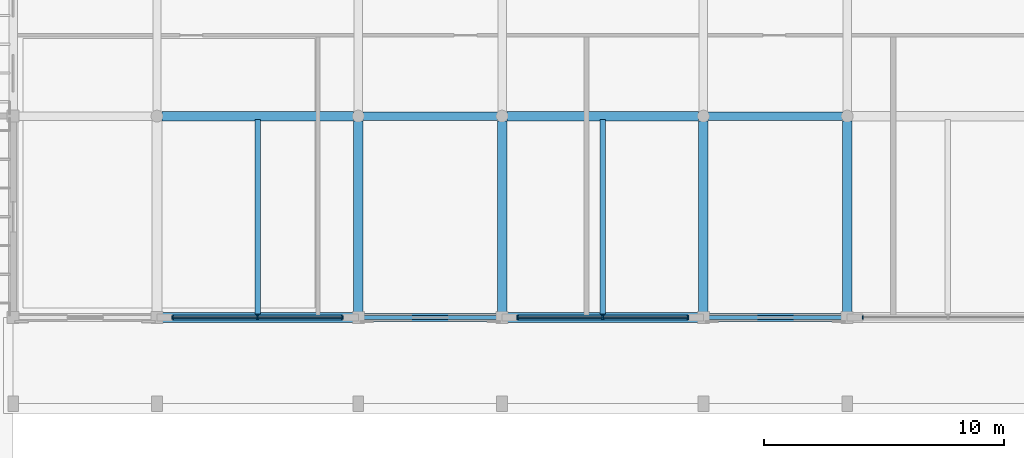
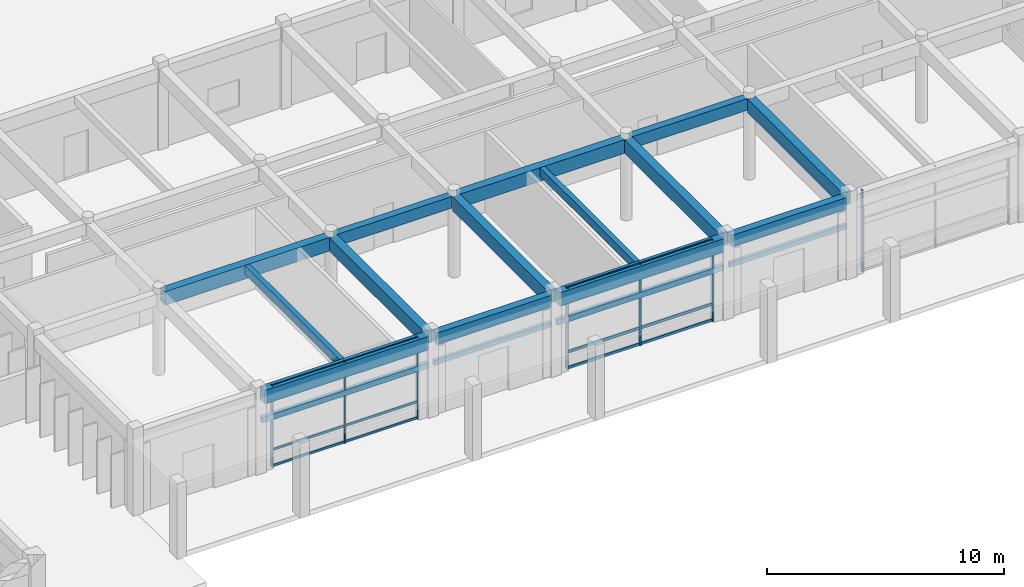
# One storey, part 13 of 67: 18 beams, 13 members, 3 elements without a shape of their own.
"""IFC4 building model written with IfcOpenShell, lengths in metres."""

from ifc_helpers import new_model, si_unit, direction, frame, origin, origin_2d, place, context, subcontext, project, spatial, rectangle, extrude, material, material_profile, profile_set, type_object, element, aggregate, save


model = new_model("IFC4")

# Units and contexts
model_context = context("Model", 3, precision=1e-05, world=origin(), true_north=direction((0.0, 1.0)))
body_context = subcontext(model_context, "Body", "Model", "MODEL_VIEW")
ifc_project = project(units=[si_unit("LENGTHUNIT", "METRE"), si_unit("AREAUNIT", "SQUARE_METRE"), si_unit("VOLUMEUNIT", "CUBIC_METRE"), si_unit("PLANEANGLEUNIT", "RADIAN"), si_unit("MASSUNIT", "GRAM", prefix="KILO"), si_unit("THERMODYNAMICTEMPERATUREUNIT", "KELVIN")], contexts=[model_context])

# Site, building, storey
site_placement = place(None, origin())
site = spatial("IfcSite", under=ifc_project, at=site_placement, CompositionType="ELEMENT")
building_placement = place(site_placement, origin())
building = spatial("IfcBuilding", under=site, at=building_placement, Name="Thalorik Housing Commons", CompositionType="ELEMENT")
storey_placement = place(building_placement, origin())
storey = spatial("IfcBuildingStorey", under=building, at=storey_placement, Name="L00", CompositionType="ELEMENT", Elevation=0.0)

# Curtain wall, member
ifc_material_1 = material(Name="Anodised aluminium and solar-control low-E glass", Category="aluminium")
curtain_wall_type = type_object("IfcCurtainWallType", Name="ARC-CW-CIVIC", PredefinedType="USERDEFINED", material=ifc_material_1)
curtain_wall_1_placement = place(storey_placement, origin())
curtain_wall_1 = element("IfcCurtainWall", 1, at=curtain_wall_1_placement, inside=storey, type_object=curtain_wall_type, Name="L00 Curtain Wall CW-SHOP-L00-233", ObjectType="CURTAIN WALL", PredefinedType="USERDEFINED")
ifc_material_2 = material(Name="Anodised aluminium 6063-T6", Category="aluminium")
ifc_material_profile_1 = material_profile(ifc_material_2, rectangle(XDim=0.054931640625, YDim=0.139892578125, at=origin_2d()), Name="ALU MUL 55x140", Category="aluminium")
ifc_profile_set_1 = profile_set([ifc_material_profile_1], Name="Anodised aluminium 6063-T6")
member_type_1 = type_object("IfcMemberType", Name="ARC-CW-MUL-55x140", PredefinedType="MULLION", material=ifc_profile_set_1)
member_1_placement = place(storey_placement, frame((101.449951171875, 14.39990234375, 0.0), z_axis=(0.0, 0.0, 1.0), x_axis=(1.0, 0.0, 0.0)))
member_1 = element("IfcMember", 2, at=member_1_placement, type_object=member_type_1, Name="CW-SHOP-L00-233 Mullion 1", PredefinedType="MULLION", context=body_context, shape_type="SweptSolid", body=[
    extrude(rectangle(XDim=0.054931640625, YDim=0.139892578125, at=origin_2d()), origin(), (0.0, 0.0, 1.0), 4.199951171875),
])
aggregate(curtain_wall_1, [member_1])

# Curtain wall, members
curtain_wall_2_placement = place(storey_placement, origin())
curtain_wall_2 = element("IfcCurtainWall", 3, at=curtain_wall_2_placement, inside=storey, type_object=curtain_wall_type, Name="L00 Curtain Wall CW-SHOP-L00-231", ObjectType="CURTAIN WALL", PredefinedType="USERDEFINED")
ifc_material_profile_2 = material_profile(ifc_material_2, rectangle(XDim=0.06005859375, YDim=0.159912109375, at=origin_2d()), Name="ALU MUL 60x160", Category="aluminium")
ifc_profile_set_2 = profile_set([ifc_material_profile_2], Name="Anodised aluminium 6063-T6")
member_type_2 = type_object("IfcMemberType", Name="ARC-CW-MUL-60x160", PredefinedType="MULLION", material=ifc_profile_set_2)
member_2_placement = place(storey_placement, frame((72.64990234375, 14.39990234375, 0.0), z_axis=(0.0, 0.0, 1.0), x_axis=(1.0, 0.0, 0.0)))
member_2 = element("IfcMember", 4, at=member_2_placement, type_object=member_type_2, Name="CW-SHOP-L00-231 Mullion 1", PredefinedType="MULLION", context=body_context, shape_type="SweptSolid", body=[
    extrude(rectangle(XDim=0.06005859375, YDim=0.159912109375, at=origin_2d()), origin(), (0.0, 0.0, 1.0), 4.199951171875),
])
member_3_placement = place(storey_placement, frame((76.199951171875, 14.39990234375, 0.0), z_axis=(0.0, 0.0, 1.0), x_axis=(1.0, 0.0, 0.0)))
member_3 = element("IfcMember", 5, at=member_3_placement, type_object=member_type_2, Name="CW-SHOP-L00-231 Mullion 2", PredefinedType="MULLION", context=body_context, shape_type="SweptSolid", body=[
    extrude(rectangle(XDim=0.06005859375, YDim=0.159912109375, at=origin_2d()), origin(), (0.0, 0.0, 1.0), 4.199951171875),
])
member_4_placement = place(storey_placement, frame((79.75, 14.39990234375, 0.0), z_axis=(0.0, 0.0, 1.0), x_axis=(1.0, 0.0, 0.0)))
member_4 = element("IfcMember", 6, at=member_4_placement, type_object=member_type_2, Name="CW-SHOP-L00-231 Mullion 3", PredefinedType="MULLION", context=body_context, shape_type="SweptSolid", body=[
    extrude(rectangle(XDim=0.06005859375, YDim=0.159912109375, at=origin_2d()), origin(), (0.0, 0.0, 1.0), 4.199951171875),
])

curtain_wall_3_placement = place(storey_placement, origin())
curtain_wall_3 = element("IfcCurtainWall", 7, at=curtain_wall_3_placement, inside=storey, type_object=curtain_wall_type, Name="L00 Curtain Wall CW-SHOP-L00-232", ObjectType="CURTAIN WALL", PredefinedType="USERDEFINED")
ifc_material_profile_3 = material_profile(ifc_material_2, rectangle(XDim=0.06494140625, YDim=0.179931640625, at=origin_2d()), Name="ALU MUL 65x180", Category="aluminium")
ifc_profile_set_3 = profile_set([ifc_material_profile_3], Name="Anodised aluminium 6063-T6")
member_type_3 = type_object("IfcMemberType", Name="ARC-CW-MUL-65x180", PredefinedType="MULLION", material=ifc_profile_set_3)
member_5_placement = place(storey_placement, frame((87.050048828125, 14.39990234375, 0.0), z_axis=(0.0, 0.0, 1.0), x_axis=(1.0, 0.0, 0.0)))
member_5 = element("IfcMember", 8, at=member_5_placement, type_object=member_type_3, Name="CW-SHOP-L00-232 Mullion 1", PredefinedType="MULLION", context=body_context, shape_type="SweptSolid", body=[
    extrude(rectangle(XDim=0.06494140625, YDim=0.179931640625, at=origin_2d()), origin(), (0.0, 0.0, 1.0), 4.199951171875),
])
member_6_placement = place(storey_placement, frame((90.60009765625, 14.39990234375, 0.0), z_axis=(0.0, 0.0, 1.0), x_axis=(1.0, 0.0, 0.0)))
member_6 = element("IfcMember", 9, at=member_6_placement, type_object=member_type_3, Name="CW-SHOP-L00-232 Mullion 2", PredefinedType="MULLION", context=body_context, shape_type="SweptSolid", body=[
    extrude(rectangle(XDim=0.06494140625, YDim=0.179931640625, at=origin_2d()), origin(), (0.0, 0.0, 1.0), 4.199951171875),
])
member_7_placement = place(storey_placement, frame((94.14990234375, 14.39990234375, 0.0), z_axis=(0.0, 0.0, 1.0), x_axis=(1.0, 0.0, 0.0)))
member_7 = element("IfcMember", 10, at=member_7_placement, type_object=member_type_3, Name="CW-SHOP-L00-232 Mullion 3", PredefinedType="MULLION", context=body_context, shape_type="SweptSolid", body=[
    extrude(rectangle(XDim=0.06494140625, YDim=0.179931640625, at=origin_2d()), origin(), (0.0, 0.0, 1.0), 4.199951171875),
])

# Member
ifc_material_profile_4 = material_profile(ifc_material_2, rectangle(XDim=0.06005859375, YDim=0.1201171875, at=origin_2d()), Name="ALU TRN 60x120", Category="aluminium")
ifc_profile_set_4 = profile_set([ifc_material_profile_4], Name="Anodised aluminium 6063-T6")
member_type_4 = type_object("IfcMemberType", Name="ARC-CW-TRN-60x120", PredefinedType="USERDEFINED", material=ifc_profile_set_4)
member_8_placement = place(storey_placement, frame((72.64990234375, 14.39990234375, 0.054931640625), z_axis=(1.0, 0.0, 0.0), x_axis=(0.0, 1.0, 0.0)))
member_8 = element("IfcMember", 11, at=member_8_placement, type_object=member_type_4, Name="CW-SHOP-L00-231 Transom 1", ObjectType="TRANSOM", PredefinedType="USERDEFINED", context=body_context, shape_type="SweptSolid", body=[
    extrude(rectangle(XDim=0.06005859375, YDim=0.1201171875, at=origin_2d()), origin(), (0.0, 0.0, 1.0), 7.10009765625),
])

member_9_placement = place(storey_placement, frame((72.64990234375, 14.39990234375, 0.8798828125), z_axis=(1.0, 0.0, 0.0), x_axis=(0.0, 1.0, 0.0)))
member_9 = element("IfcMember", 12, at=member_9_placement, type_object=member_type_4, Name="CW-SHOP-L00-231 Transom 2", ObjectType="TRANSOM", PredefinedType="USERDEFINED", context=body_context, shape_type="SweptSolid", body=[
    extrude(rectangle(XDim=0.06005859375, YDim=0.1201171875, at=origin_2d()), origin(), (0.0, 0.0, 1.0), 7.10009765625),
])

member_10_placement = place(storey_placement, frame((72.64990234375, 14.39990234375, 4.14501953125), z_axis=(1.0, 0.0, 0.0), x_axis=(0.0, 1.0, 0.0)))
member_10 = element("IfcMember", 13, at=member_10_placement, type_object=member_type_4, Name="CW-SHOP-L00-231 Transom 3", ObjectType="TRANSOM", PredefinedType="USERDEFINED", context=body_context, shape_type="SweptSolid", body=[
    extrude(rectangle(XDim=0.06005859375, YDim=0.1201171875, at=origin_2d()), origin(), (0.0, 0.0, 1.0), 7.10009765625),
])

aggregate(curtain_wall_2, [member_2, member_3, member_4, member_8, member_9, member_10])

ifc_material_profile_5 = material_profile(ifc_material_2, rectangle(XDim=0.06494140625, YDim=0.14990234375, at=origin_2d()), Name="ALU TRN 65x150", Category="aluminium")
ifc_profile_set_5 = profile_set([ifc_material_profile_5], Name="Anodised aluminium 6063-T6")
member_type_5 = type_object("IfcMemberType", Name="ARC-CW-TRN-65x150", PredefinedType="USERDEFINED", material=ifc_profile_set_5)
member_11_placement = place(storey_placement, frame((87.050048828125, 14.39990234375, 0.054931640625), z_axis=(1.0, 0.0, 0.0), x_axis=(0.0, 1.0, 0.0)))
member_11 = element("IfcMember", 14, at=member_11_placement, type_object=member_type_5, Name="CW-SHOP-L00-232 Transom 1", ObjectType="TRANSOM", PredefinedType="USERDEFINED", context=body_context, shape_type="SweptSolid", body=[
    extrude(rectangle(XDim=0.06494140625, YDim=0.14990234375, at=origin_2d()), origin(), (0.0, 0.0, 1.0), 7.099853515625),
])

member_12_placement = place(storey_placement, frame((87.050048828125, 14.39990234375, 0.8798828125), z_axis=(1.0, 0.0, 0.0), x_axis=(0.0, 1.0, 0.0)))
member_12 = element("IfcMember", 15, at=member_12_placement, type_object=member_type_5, Name="CW-SHOP-L00-232 Transom 2", ObjectType="TRANSOM", PredefinedType="USERDEFINED", context=body_context, shape_type="SweptSolid", body=[
    extrude(rectangle(XDim=0.06494140625, YDim=0.14990234375, at=origin_2d()), origin(), (0.0, 0.0, 1.0), 7.099853515625),
])

member_13_placement = place(storey_placement, frame((87.050048828125, 14.39990234375, 4.14501953125), z_axis=(1.0, 0.0, 0.0), x_axis=(0.0, 1.0, 0.0)))
member_13 = element("IfcMember", 16, at=member_13_placement, type_object=member_type_5, Name="CW-SHOP-L00-232 Transom 3", ObjectType="TRANSOM", PredefinedType="USERDEFINED", context=body_context, shape_type="SweptSolid", body=[
    extrude(rectangle(XDim=0.06494140625, YDim=0.14990234375, at=origin_2d()), origin(), (0.0, 0.0, 1.0), 7.099853515625),
])

aggregate(curtain_wall_3, [member_5, member_6, member_7, member_11, member_12, member_13])

# Beams
ifc_material_3 = material(Name="Precast concrete C40/50", Category="concrete")
ifc_material_profile_6 = material_profile(ifc_material_3, rectangle(XDim=0.35009765625, YDim=0.60009765625, at=origin_2d()), Name="PC 350x600", Category="concrete")
ifc_profile_set_6 = profile_set([ifc_material_profile_6], Name="Precast concrete C40/50")
beam_type_1 = type_object("IfcBeamType", Name="STR-BM-PC350x600", PredefinedType="BEAM", material=ifc_profile_set_6)
beam_1_placement = place(storey_placement, frame((80.60009765625, 14.39990234375, 3.89990234375), z_axis=(1.0, 0.0, 0.0), x_axis=(0.0, 1.0, 0.0)))
element("IfcBeam", 17, at=beam_1_placement, inside=storey, type_object=beam_type_1, Name="L00 Beam B-600", PredefinedType="BEAM", context=body_context, shape_type="SweptSolid", body=[
    extrude(rectangle(XDim=0.35009765625, YDim=0.60009765625, at=origin_2d()), origin(), (0.0, 0.0, 1.0), 5.599853515625),
])
beam_2_placement = place(storey_placement, frame((95.0, 14.39990234375, 3.89990234375), z_axis=(1.0, 0.0, 0.0), x_axis=(0.0, 1.0, 0.0)))
element("IfcBeam", 18, at=beam_2_placement, inside=storey, type_object=beam_type_1, Name="L00 Beam B-600", PredefinedType="BEAM", context=body_context, shape_type="SweptSolid", body=[
    extrude(rectangle(XDim=0.35009765625, YDim=0.60009765625, at=origin_2d()), origin(), (0.0, 0.0, 1.0), 5.60009765625),
])
beam_3_placement = place(storey_placement, frame((80.60009765625, 22.800048828125, 3.89990234375), z_axis=(1.0, 0.0, 0.0), x_axis=(0.0, 1.0, 0.0)))
element("IfcBeam", 19, at=beam_3_placement, inside=storey, type_object=beam_type_1, Name="L00 Beam B-600", PredefinedType="BEAM", context=body_context, shape_type="SweptSolid", body=[
    extrude(rectangle(XDim=0.35009765625, YDim=0.60009765625, at=origin_2d()), origin(), (0.0, 0.0, 1.0), 5.599853515625),
])
beam_4_placement = place(storey_placement, frame((95.0, 22.800048828125, 3.89990234375), z_axis=(1.0, 0.0, 0.0), x_axis=(0.0, 1.0, 0.0)))
element("IfcBeam", 20, at=beam_4_placement, inside=storey, type_object=beam_type_1, Name="L00 Beam B-600", PredefinedType="BEAM", context=body_context, shape_type="SweptSolid", body=[
    extrude(rectangle(XDim=0.35009765625, YDim=0.60009765625, at=origin_2d()), origin(), (0.0, 0.0, 1.0), 5.60009765625),
])
ifc_material_profile_7 = material_profile(ifc_material_3, rectangle(XDim=0.39990234375, YDim=0.699951171875, at=origin_2d()), Name="PC 400x700", Category="concrete")
ifc_profile_set_7 = profile_set([ifc_material_profile_7], Name="Precast concrete C40/50")
beam_type_2 = type_object("IfcBeamType", Name="STR-BM-PC400x700", PredefinedType="BEAM", material=ifc_profile_set_7)
for number, where, z_axis, x_axis, name in (
    (21, (72.199951171875, 14.39990234375, 3.85009765625), (1.0, 0.0, 0.0), (0.0, 1.0, 0.0), "L00 Beam B-700"),
    (22, (86.60009765625, 14.39990234375, 3.85009765625), (1.0, 0.0, 0.0), (0.0, 1.0, 0.0), "L00 Beam B-700"),
    (23, (72.199951171875, 22.800048828125, 3.85009765625), (1.0, 0.0, 0.0), (0.0, 1.0, 0.0), "L00 Beam B-700"),
    (24, (86.60009765625, 22.800048828125, 3.85009765625), (1.0, 0.0, 0.0), (0.0, 1.0, 0.0), "L00 Beam B-700"),
    (25, (80.39990234375, 14.60009765625, 3.85009765625), (0.0, 1.0, 0.0), (-1.0, 0.0, 0.0), "L00 Beam B-700"),
    (26, (86.39990234375, 14.60009765625, 3.85009765625), (0.0, 1.0, 0.0), (-1.0, 0.0, 0.0), "L00 Beam B-700"),
    (27, (94.800048828125, 14.60009765625, 3.85009765625), (0.0, 1.0, 0.0), (-1.0, 0.0, 0.0), "L00 Beam B-700"),
    (28, (100.800048828125, 14.60009765625, 3.85009765625), (0.0, 1.0, 0.0), (-1.0, 0.0, 0.0), "L00 Beam B-700"),
):
    element("IfcBeam", number, at=place(storey_placement, frame(where, z_axis=z_axis, x_axis=x_axis)), inside=storey, type_object=beam_type_2, Name=name, PredefinedType="BEAM", context=body_context, shape_type="SweptSolid", body=[
        extrude(rectangle(XDim=0.39990234375, YDim=0.699951171875, at=origin_2d()), origin(), (0.0, 0.0, 1.0), 8.0),
    ])
ifc_material_profile_8 = material_profile(ifc_material_3, rectangle(XDim=0.239990234375, YDim=0.43994140625, at=origin_2d()), Name="PC JST 240x440", Category="concrete")
ifc_profile_set_8 = profile_set([ifc_material_profile_8], Name="Precast concrete C40/50")
beam_type_3 = type_object("IfcBeamType", Name="STR-JST-PC240x440", PredefinedType="JOIST", material=ifc_profile_set_8)
for number, where, z_axis, x_axis, name in (
    (29, (76.199951171875, 14.550048828125, 3.97998046875), (0.0, 1.0, 0.0), (-1.0, 0.0, 0.0), "L00 Beam J-440"),
    (30, (90.60009765625, 14.550048828125, 3.97998046875), (0.0, 1.0, 0.0), (-1.0, 0.0, 0.0), "L00 Beam J-440"),
):
    element("IfcBeam", number, at=place(storey_placement, frame(where, z_axis=z_axis, x_axis=x_axis)), inside=storey, type_object=beam_type_3, Name=name, PredefinedType="JOIST", context=body_context, shape_type="SweptSolid", body=[
        extrude(rectangle(XDim=0.239990234375, YDim=0.43994140625, at=origin_2d()), origin(), (0.0, 0.0, 1.0), 8.099853515625),
    ])
ifc_material_profile_9 = material_profile(ifc_material_3, rectangle(XDim=0.159912109375, YDim=0.239990234375, at=origin_2d()), Name="PC LIN 160x240", Category="concrete")
ifc_profile_set_9 = profile_set([ifc_material_profile_9], Name="Precast concrete C40/50")
beam_type_4 = type_object("IfcBeamType", Name="STR-LIN-PC160x240", PredefinedType="LINTEL", material=ifc_profile_set_9)
for number, where, z_axis, x_axis, name in (
    (31, (80.550048828125, 14.39990234375, 2.6201171875), (1.0, 0.0, 0.0), (0.0, 1.0, 0.0), "L00 Shopfront Precast Lintel 3"),
    (32, (94.949951171875, 14.39990234375, 2.6201171875), (1.0, 0.0, 0.0), (0.0, 1.0, 0.0), "L00 Shopfront Precast Lintel 5"),
):
    element("IfcBeam", number, at=place(storey_placement, frame(where, z_axis=z_axis, x_axis=x_axis)), inside=storey, type_object=beam_type_4, Name=name, PredefinedType="LINTEL", context=body_context, shape_type="SweptSolid", body=[
        extrude(rectangle(XDim=0.159912109375, YDim=0.239990234375, at=origin_2d()), origin(), (0.0, 0.0, 1.0), 5.699951171875),
    ])
ifc_material_profile_10 = material_profile(ifc_material_3, rectangle(XDim=0.199951171875, YDim=0.280029296875, at=origin_2d()), Name="PC LIN 200x280", Category="concrete")
ifc_profile_set_10 = profile_set([ifc_material_profile_10], Name="Precast concrete C40/50")
beam_type_5 = type_object("IfcBeamType", Name="STR-LIN-PC200x280", PredefinedType="LINTEL", material=ifc_profile_set_10)
beam_5_placement = place(storey_placement, frame((72.14990234375, 14.39990234375, 2.6201171875), z_axis=(1.0, 0.0, 0.0), x_axis=(0.0, 1.0, 0.0)))
element("IfcBeam", 33, at=beam_5_placement, inside=storey, type_object=beam_type_5, Name="L00 Shopfront Precast Lintel 2", PredefinedType="LINTEL", context=body_context, shape_type="SweptSolid", body=[
    extrude(rectangle(XDim=0.199951171875, YDim=0.280029296875, at=origin_2d()), origin(), (0.0, 0.0, 1.0), 8.10009765625),
])
beam_6_placement = place(storey_placement, frame((86.550048828125, 14.39990234375, 2.6201171875), z_axis=(1.0, 0.0, 0.0), x_axis=(0.0, 1.0, 0.0)))
element("IfcBeam", 34, at=beam_6_placement, inside=storey, type_object=beam_type_5, Name="L00 Shopfront Precast Lintel 4", PredefinedType="LINTEL", context=body_context, shape_type="SweptSolid", body=[
    extrude(rectangle(XDim=0.199951171875, YDim=0.280029296875, at=origin_2d()), origin(), (0.0, 0.0, 1.0), 8.099853515625),
])

save(model, "model.ifc")
